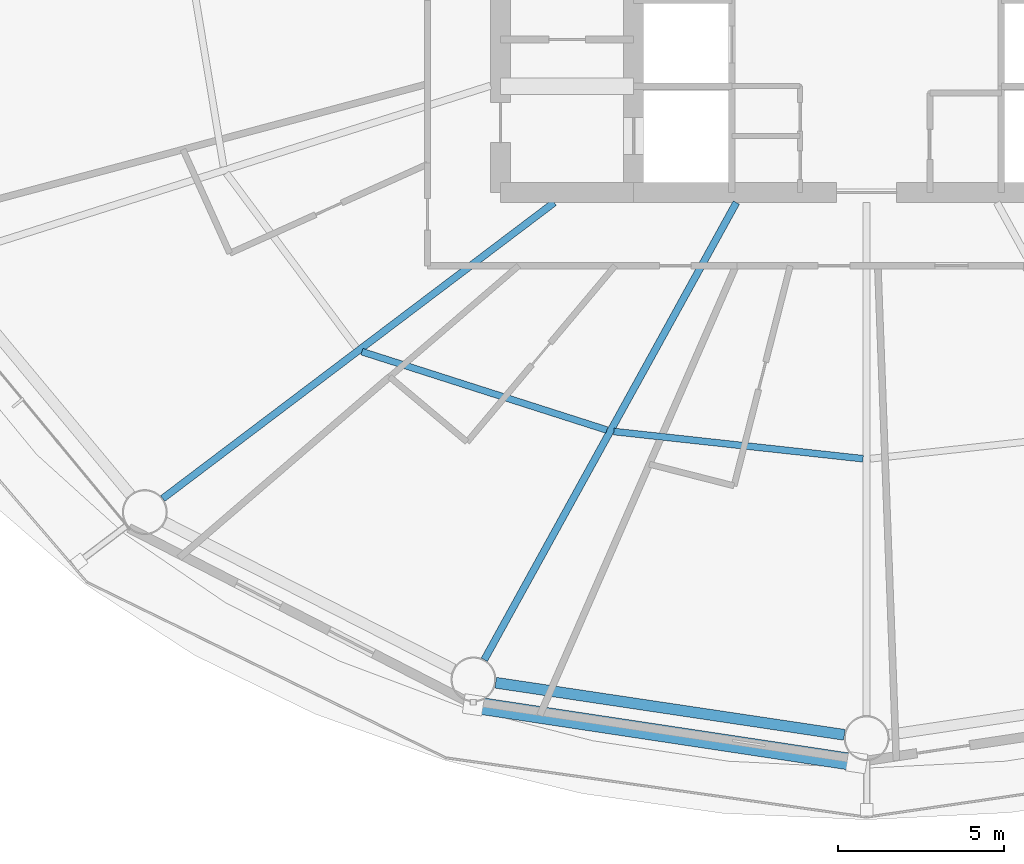
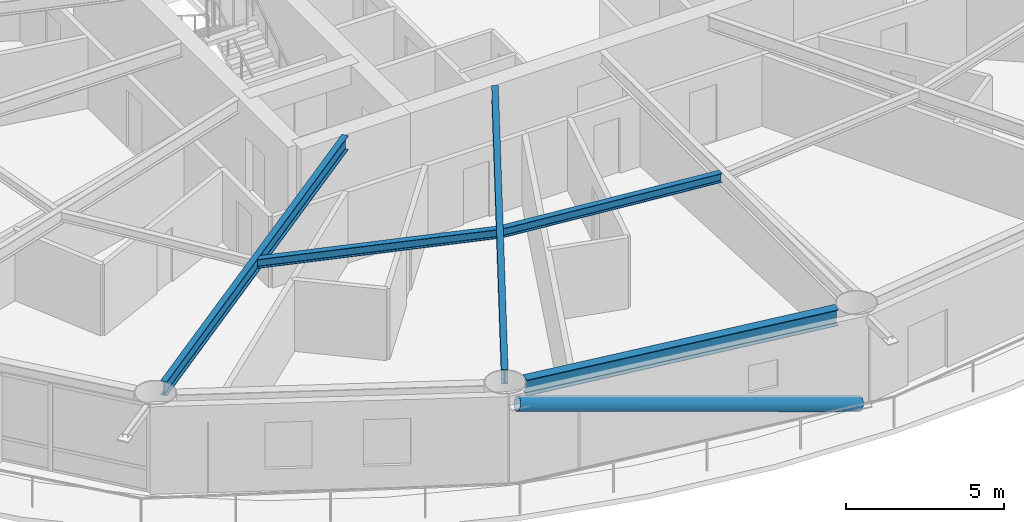
# One storey, part 3 of 26: 5 beams, 1 member.
"""IFC4 building model written with IfcOpenShell, lengths in metres."""

from ifc_helpers import new_model, si_unit, direction, frame, origin, origin_2d, place, context, subcontext, project, spatial, hollow_circle, i_section, extrude, material, material_profile, profile_set, type_object, element, save


model = new_model("IFC4")

# Units and contexts
model_context = context("Model", 3, precision=1e-05, world=origin(), true_north=direction((0.0, 1.0)))
body_context = subcontext(model_context, "Body", "Model", "MODEL_VIEW")
ifc_project = project(units=[si_unit("LENGTHUNIT", "METRE"), si_unit("AREAUNIT", "SQUARE_METRE"), si_unit("VOLUMEUNIT", "CUBIC_METRE"), si_unit("PLANEANGLEUNIT", "RADIAN"), si_unit("MASSUNIT", "GRAM", prefix="KILO")], contexts=[model_context])

# Site, building, storey
site_placement = place(None, origin())
site = spatial("IfcSite", under=ifc_project, at=site_placement, CompositionType="ELEMENT")
building_placement = place(site_placement, origin())
building = spatial("IfcBuilding", under=site, at=building_placement, Name="Sarneth Arch Tower", CompositionType="ELEMENT")
storey_placement = place(building_placement, frame((0.0, 0.0, 42.60009765625)))
storey = spatial("IfcBuildingStorey", under=building, at=storey_placement, Name="L09", CompositionType="ELEMENT", Elevation=42.60009765625)

# Beams
ifc_material_1 = material(Name="Steel S355", Category="steel")
ifc_material_profile_1 = material_profile(ifc_material_1, i_section(OverallWidth=0.2041015625, OverallDepth=0.35009765625, WebThickness=0.008544921875, FlangeThickness=0.01513671875, FilletRadius=0.014892578125, at=origin_2d()), Name="W360x72")
ifc_profile_set_1 = profile_set([ifc_material_profile_1], Name="Steel S355")
beam_type_1 = type_object("IfcBeamType", Name="BM-JOIST-360D", PredefinedType="JOIST", material=ifc_profile_set_1)
beam_1_placement = place(storey_placement, frame((32.82763671875, 30.41845703125, 3.204833984375), z_axis=(0.952436240143, -0.304737934073, 0.0), x_axis=(0.304737934073, 0.952436240143, 0.0)))
element("IfcBeam", 1, at=beam_1_placement, inside=storey, type_object=beam_type_1, Name="L09 Secondary floor joist 11", PredefinedType="JOIST", context=body_context, shape_type="SweptSolid", body=[
    extrude(i_section(OverallWidth=0.2041015625, OverallDepth=0.35009765625, WebThickness=0.008544921875, FlangeThickness=0.01513671875, FilletRadius=0.014892578125, at=origin_2d()), origin(), (0.0, 0.0, 1.0), 7.735107421875),
])
beam_2_placement = place(storey_placement, frame((40.403076171875, 28.016845703125, 3.204833984375), z_axis=(0.994095251924, -0.108510967657, 0.0), x_axis=(0.108510967657, 0.994095251924, 0.0)))
element("IfcBeam", 2, at=beam_2_placement, inside=storey, type_object=beam_type_1, Name="L09 Secondary floor joist 12", PredefinedType="JOIST", context=body_context, shape_type="SweptSolid", body=[
    extrude(i_section(OverallWidth=0.2041015625, OverallDepth=0.35009765625, WebThickness=0.008544921875, FlangeThickness=0.01513671875, FilletRadius=0.014892578125, at=origin_2d()), origin(), (0.0, 0.0, 1.0), 7.534912109375),
])
ifc_material_2 = material(Name="Steel S355", Category="steel")
ifc_material_profile_2 = material_profile(ifc_material_2, i_section(OverallWidth=0.214111328125, OverallDepth=0.549072265625, WebThickness=0.0146484375, FlangeThickness=0.023681640625, FilletRadius=0.01806640625, at=origin_2d()), Name="W530x138")
ifc_profile_set_2 = profile_set([ifc_material_profile_2], Name="Steel S355")
beam_type_2 = type_object("IfcBeamType", Name="BM-RAD-530A", PredefinedType="BEAM", material=ifc_profile_set_2)
beam_3_placement = place(storey_placement, frame((38.609619140625, 34.89990234375, 3.10546875), z_axis=(-0.797656612852, -0.603111870198, 0.0), x_axis=(0.603111870198, -0.797656612852, 0.0)))
element("IfcBeam", 3, at=beam_3_placement, inside=storey, type_object=beam_type_2, Name="L09 Radial floor girder 11", PredefinedType="BEAM", context=body_context, shape_type="SweptSolid", body=[
    extrude(i_section(OverallWidth=0.214111328125, OverallDepth=0.549072265625, WebThickness=0.0146484375, FlangeThickness=0.023681640625, FilletRadius=0.01806640625, at=origin_2d()), origin(), (0.0, 0.0, 1.0), 14.7529296875),
])
beam_4_placement = place(storey_placement, frame((44.08544921875, 34.89990234375, 3.10546875), z_axis=(-0.482837562311, -0.875709933952, 0.0), x_axis=(0.875709933952, -0.482837562311, 0.0)))
element("IfcBeam", 4, at=beam_4_placement, inside=storey, type_object=beam_type_2, Name="L09 Radial floor girder 12", PredefinedType="BEAM", context=body_context, shape_type="SweptSolid", body=[
    extrude(i_section(OverallWidth=0.214111328125, OverallDepth=0.549072265625, WebThickness=0.0146484375, FlangeThickness=0.023681640625, FilletRadius=0.01806640625, at=origin_2d()), origin(), (0.0, 0.0, 1.0), 15.693359375),
])
ifc_material_3 = material(Name="Steel S355", Category="steel")
ifc_material_profile_3 = material_profile(ifc_material_3, i_section(OverallWidth=0.326904296875, OverallDepth=0.6220703125, WebThickness=0.015380859375, FlangeThickness=0.0244140625, FilletRadius=0.01904296875, at=origin_2d()), Name="W610x195")
ifc_profile_set_3 = profile_set([ifc_material_profile_3], Name="Steel S355")
beam_type_3 = type_object("IfcBeamType", Name="BM-SPAN-610A", PredefinedType="SPANDREL", material=ifc_profile_set_3)
beam_5_placement = place(storey_placement, frame((36.849853515625, 20.46630859375, 3.06884765625), z_axis=(0.989015788086, -0.147809914809, 0.0), x_axis=(0.147809914809, 0.989015788086, 0.0)))
element("IfcBeam", 5, at=beam_5_placement, inside=storey, type_object=beam_type_3, Name="L09 Perimeter spandrel beam 12", PredefinedType="SPANDREL", context=body_context, shape_type="SweptSolid", body=[
    extrude(i_section(OverallWidth=0.326904296875, OverallDepth=0.6220703125, WebThickness=0.015380859375, FlangeThickness=0.0244140625, FilletRadius=0.01904296875, at=origin_2d()), origin(), (0.0, 0.0, 1.0), 10.59912109375),
])

# Member
ifc_material_4 = material(Name="Steel S355", Category="steel")
ifc_material_profile_4 = material_profile(ifc_material_4, hollow_circle(Radius=0.25390625, WallThickness=0.01611328125, at=origin_2d()), Name="CHS508x16")
ifc_profile_set_4 = profile_set([ifc_material_profile_4], Name="Steel S355")
member_type = type_object("IfcMemberType", Name="MEM-DIAG-BR1", PredefinedType="BRACE", material=ifc_profile_set_4)
member_placement = place(storey_placement, frame((47.703369140625, 18.064697265625, 0.02001953125), z_axis=(-0.957880726284, 0.144317340663, 0.248268039422), x_axis=(-0.1489817545, -0.988839944999, 0.0)))
element("IfcMember", 6, at=member_placement, inside=storey, type_object=member_type, Name="L09 Perimeter frame diagonal 12", PredefinedType="BRACE", context=body_context, shape_type="SweptSolid", body=[
    extrude(hollow_circle(Radius=0.25390625, WallThickness=0.01611328125, at=origin_2d()), origin(), (0.0, 0.0, 1.0), 12.029541015625),
])

save(model, "model.ifc")
